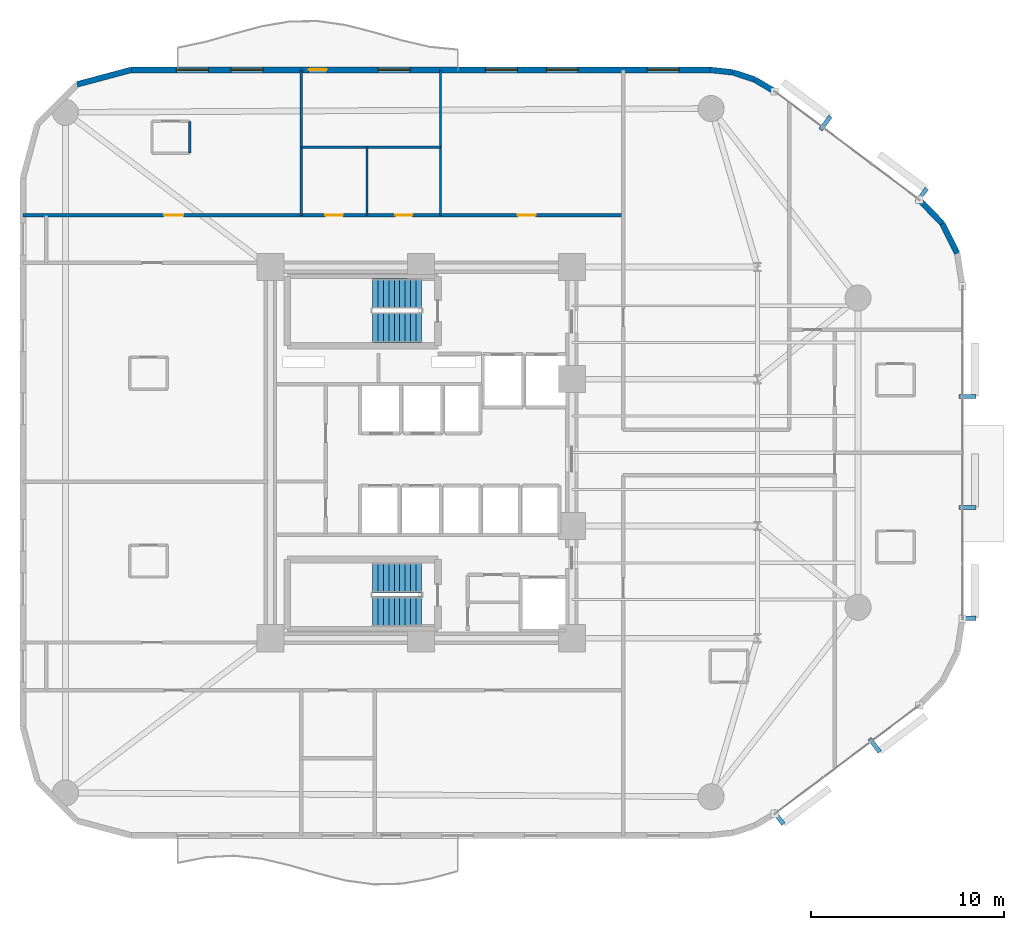
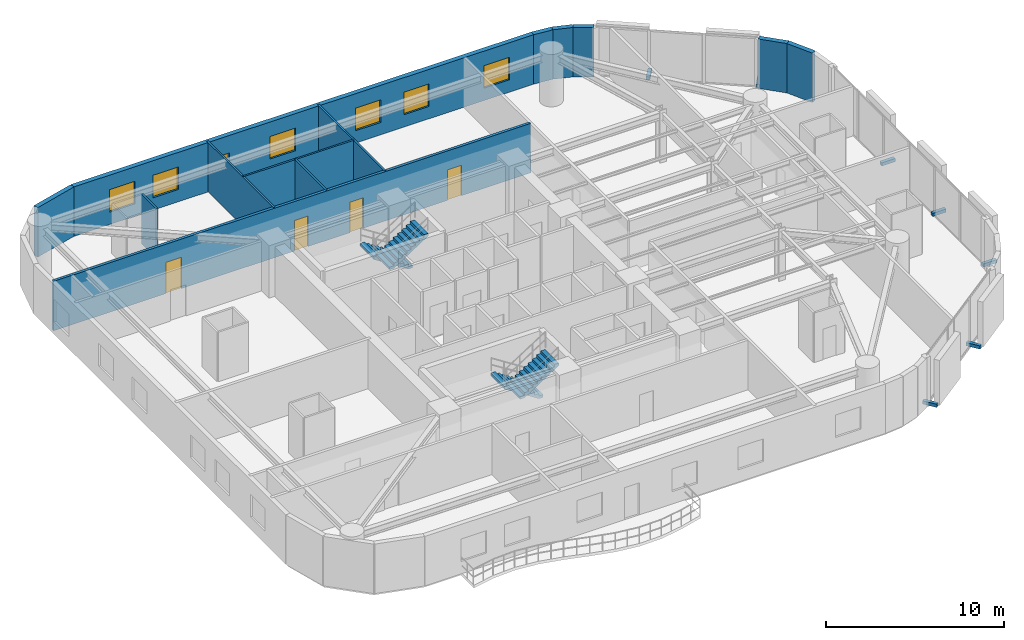
# One storey, part 13 of 16: 13 walls, 7 discrete accessories, 6 windows, 5 doors, 4 stair flights, 11 openings, 2 elements without a shape of their own.
"""IFC4 building model written with IfcOpenShell, lengths in metres."""

from ifc_helpers import new_model, si_unit, direction, frame, frame_2d, origin, origin_2d, place, context, subcontext, project, spatial, polyline, rectangle, outline, extrude, material, layer, layer_set, type_object, element, fill, aggregate, save


model = new_model("IFC4")

# Units and contexts
model_context = context("Model", 3, precision=1e-05, world=origin(), true_north=direction((0.0, 1.0)))
body_context = subcontext(model_context, "Body", "Model", "MODEL_VIEW")
ifc_project = project(units=[si_unit("LENGTHUNIT", "METRE"), si_unit("AREAUNIT", "SQUARE_METRE"), si_unit("VOLUMEUNIT", "CUBIC_METRE"), si_unit("PLANEANGLEUNIT", "RADIAN"), si_unit("MASSUNIT", "GRAM", prefix="KILO")], contexts=[model_context])

# Site, building, storey
site_placement = place(None, origin())
site = spatial("IfcSite", under=ifc_project, at=site_placement, CompositionType="ELEMENT")
building_placement = place(site_placement, origin())
building = spatial("IfcBuilding", under=site, at=building_placement, Name="An Khanh Terracotta Commons", CompositionType="ELEMENT")
storey_placement = place(building_placement, frame((0.0, 0.0, 107.89990234375)))
storey = spatial("IfcBuildingStorey", under=building, at=storey_placement, Name="L28", CompositionType="ELEMENT", Elevation=107.89990234375)

# Wall, openings, doors
ifc_material_1 = material(Name="Fire-Rated Gypsum Board on Steel Stud", Category="steel")
ifc_layer_1 = layer(ifc_material_1, 0.179931640625, Name="Fire-Rated Gypsum Board on Steel Stud")
ifc_layer_set_1 = layer_set([ifc_layer_1], Name="Fire-Rated Gypsum Board on Steel Stud")
wall_type_1 = type_object("IfcWallType", Name="WALL-CORR-180", PredefinedType="PARTITIONING", material=ifc_layer_set_1)
wall_1_placement = place(storey_placement, frame((8.800048828125, 36.280029296875, 0.0), z_axis=(0.0, 0.0, 1.0), x_axis=(1.0, 0.0, 0.0)))
wall_1 = element("IfcWall", 1, at=wall_1_placement, inside=storey, type_object=wall_type_1, Name="L28 Interior Partition IW-L28-E010", PredefinedType="PARTITIONING", context=body_context, shape_type="SweptSolid", body=[
    extrude(rectangle(XDim=31.050048828125, YDim=0.179931640625, at=frame_2d((15.52490234375, 0.0))), origin(), (0.0, 0.0, 1.0), 3.400146484375),
])
opening_1_placement = place(wall_1_placement, frame((15.64990234375, 0.0, 0.0)))
opening_1 = element("IfcOpeningElement", 2, at=opening_1_placement, cuts=wall_1, Name="Opening D-WC", PredefinedType="OPENING", context=body_context, shape_type="SweptSolid", body=[
    extrude(rectangle(XDim=0.89990234375, YDim=2.10009765625, at=frame_2d((0.449951171875, 1.050048828125))), frame((0.0, 0.099853515625, 0.0), z_axis=(0.0, -1.0, 0.0), x_axis=(1.0, 0.0, 0.0)), (0.0, 0.0, 1.0), 0.199951171875),
])
opening_2_placement = place(wall_1_placement, frame((19.27001953125, 0.0, 0.0)))
opening_2 = element("IfcOpeningElement", 3, at=opening_2_placement, cuts=wall_1, Name="Opening D-ENS", PredefinedType="OPENING", context=body_context, shape_type="SweptSolid", body=[
    extrude(rectangle(XDim=0.860107421875, YDim=2.10009765625, at=frame_2d((0.43017578125, 1.050048828125))), frame((0.0, 0.099853515625, 0.0), z_axis=(0.0, -1.0, 0.0), x_axis=(1.0, 0.0, 0.0)), (0.0, 0.0, 1.0), 0.199951171875),
])
opening_3_placement = place(wall_1_placement, frame((7.300048828125, 0.0, 0.0)))
opening_3 = element("IfcOpeningElement", 4, at=opening_3_placement, cuts=wall_1, Name="Opening D-UN", PredefinedType="OPENING", context=body_context, shape_type="SweptSolid", body=[
    extrude(rectangle(XDim=1.0, YDim=2.14990234375, at=frame_2d((0.5, 1.074951171875))), frame((0.0, 0.099853515625, 0.0), z_axis=(0.0, -1.0, 0.0), x_axis=(1.0, 0.0, 0.0)), (0.0, 0.0, 1.0), 0.199951171875),
])
opening_4_placement = place(wall_1_placement, frame((25.60498046875, 0.0, 0.0)))
opening_4 = element("IfcOpeningElement", 5, at=opening_4_placement, cuts=wall_1, Name="Opening D-RM", PredefinedType="OPENING", context=body_context, shape_type="SweptSolid", body=[
    extrude(rectangle(XDim=0.919921875, YDim=2.10009765625, at=frame_2d((0.4599609375, 1.050048828125))), frame((0.0, 0.099853515625, 0.0), z_axis=(0.0, -1.0, 0.0), x_axis=(1.0, 0.0, 0.0)), (0.0, 0.0, 1.0), 0.199951171875),
])
ifc_material_2 = material(Name="Moisture-Resistant Hardwood Timber Leaf", Category="wood")
door_type_1 = type_object("IfcDoorType", Name="DOOR-BATH-860", OperationType="NOTDEFINED", PredefinedType="DOOR", material=ifc_material_2)
door_1_placement = place(opening_2_placement, origin())
door_1 = element("IfcDoor", 6, at=door_1_placement, inside=storey, type_object=door_type_1, Name="L28 SHW Resident Shared Shower and Washroom Door", OperationType="SINGLE_SWING_RIGHT", OverallHeight=2.10009765625, OverallWidth=0.860107421875, PredefinedType="DOOR", context=body_context, shape_type="SweptSolid", body=[
    extrude(rectangle(XDim=0.860107421875, YDim=2.10009765625, at=frame_2d((0.43017578125, 1.050048828125))), frame((0.0, 0.02490234375, 0.0), z_axis=(0.0, -1.0, 0.0), x_axis=(1.0, 0.0, 0.0)), (0.0, 0.0, 1.0), 0.050048828125),
])
fill(opening_2, door_1)
ifc_material_3 = material(Name="Engineered Hardwood Timber Leaf", Category="wood")
door_type_2 = type_object("IfcDoorType", Name="DOOR-INT-920", OperationType="NOTDEFINED", PredefinedType="DOOR", material=ifc_material_3)
door_2_placement = place(opening_4_placement, origin())
door_2 = element("IfcDoor", 7, at=door_2_placement, inside=storey, type_object=door_type_2, Name="L28 NWE Quiet Focus Office Door", OperationType="SINGLE_SWING_RIGHT", OverallHeight=2.10009765625, OverallWidth=0.919921875, PredefinedType="DOOR", context=body_context, shape_type="SweptSolid", body=[
    extrude(rectangle(XDim=0.919921875, YDim=2.10009765625, at=frame_2d((0.4599609375, 1.050048828125))), frame((0.0, 0.02490234375, 0.0), z_axis=(0.0, -1.0, 0.0), x_axis=(1.0, 0.0, 0.0)), (0.0, 0.0, 1.0), 0.050048828125),
])
fill(opening_4, door_2)
ifc_material_4 = material(Name="Solid-Core Hardwood Acoustic Fire Door", Category="wood")
door_type_3 = type_object("IfcDoorType", Name="DOOR-UNIT-1000", OperationType="NOTDEFINED", PredefinedType="DOOR", material=ifc_material_4)
door_3_placement = place(opening_3_placement, origin())
door_3 = element("IfcDoor", 8, at=door_3_placement, inside=storey, type_object=door_type_3, Name="L28 NW1 Kitchenette and Studio Apartment Door", OperationType="SINGLE_SWING_LEFT", OverallHeight=2.14990234375, OverallWidth=1.0, PredefinedType="DOOR", context=body_context, shape_type="SweptSolid", body=[
    extrude(rectangle(XDim=1.0, YDim=2.14990234375, at=frame_2d((0.5, 1.074951171875))), frame((0.0, 0.02490234375, 0.0), z_axis=(0.0, -1.0, 0.0), x_axis=(1.0, 0.0, 0.0)), (0.0, 0.0, 1.0), 0.050048828125),
])
fill(opening_3, door_3)
ifc_material_5 = material(Name="Laminate Moisture-Resistant Timber Leaf", Category="wood")
door_type_4 = type_object("IfcDoorType", Name="DOOR-WC-900", OperationType="NOTDEFINED", PredefinedType="DOOR", material=ifc_material_5)
door_4_placement = place(opening_1_placement, origin())
door_4 = element("IfcDoor", 9, at=door_4_placement, inside=storey, type_object=door_type_4, Name="L28 AWC Accessible WC Door", OperationType="SINGLE_SWING_LEFT", OverallHeight=2.10009765625, OverallWidth=0.89990234375, PredefinedType="DOOR", context=body_context, shape_type="SweptSolid", body=[
    extrude(rectangle(XDim=0.89990234375, YDim=2.10009765625, at=frame_2d((0.449951171875, 1.050048828125))), frame((0.0, 0.02490234375, 0.0), z_axis=(0.0, -1.0, 0.0), x_axis=(1.0, 0.0, 0.0)), (0.0, 0.0, 1.0), 0.050048828125),
])
fill(opening_1, door_4)

# Walls
ifc_material_6 = material(Name="Precast concrete C40/50", Category="concrete")
ifc_layer_2 = layer(ifc_material_6, 0.300048828125, Name="Precast concrete C40/50")
ifc_layer_set_2 = layer_set([ifc_layer_2], Name="Precast concrete C40/50")
wall_type_2 = type_object("IfcWallType", Name="WALL-EXT-300", PredefinedType="SOLIDWALL", material=ifc_layer_set_2)
for number, where, z_axis, x_axis, name in (
    (10, (57.135009765625, 34.303955078125, 0.0), (0.0, 0.0, 1.0), (-0.4472135955, 0.894427191, 0.0), "L28 Insulated Terracotta Exterior Wall 14"),
    (11, (56.364013671875, 35.845947265625, 0.0), (0.0, 0.0, 1.0), (-0.6983450845, 0.715761233201, 0.0), "L28 Insulated Terracotta Exterior Wall 15"),
):
    element("IfcWall", number, at=place(storey_placement, frame(where, z_axis=z_axis, x_axis=x_axis)), inside=storey, type_object=wall_type_2, Name=name, PredefinedType="SOLIDWALL", context=body_context, shape_type="SweptSolid", body=[
        extrude(rectangle(XDim=1.72412109375, YDim=0.300048828125, at=frame_2d((0.862060546875, 0.0))), origin(), (0.0, 0.0, 1.0), 3.400146484375),
    ])
wall_2_placement = place(storey_placement, frame((47.693115234375, 42.679931640625, 0.0), z_axis=(0.0, 0.0, 1.0), x_axis=(-0.859320591642, 0.511437308749, 0.0)))
element("IfcWall", 12, at=wall_2_placement, inside=storey, type_object=wall_type_2, Name="L28 Insulated Terracotta Exterior Wall 17", PredefinedType="SOLIDWALL", context=body_context, shape_type="SweptSolid", body=[
    extrude(rectangle(XDim=1.19873046875, YDim=0.300048828125, at=frame_2d((0.599365234375, 0.0))), origin(), (0.0, 0.0, 1.0), 3.400146484375),
])
wall_3_placement = place(storey_placement, frame((46.6630859375, 43.29296875, 0.0), z_axis=(0.0, 0.0, 1.0), x_axis=(-0.948744332129, 0.316044604847, 0.0)))
element("IfcWall", 13, at=wall_3_placement, inside=storey, type_object=wall_type_2, Name="L28 Insulated Terracotta Exterior Wall 18", PredefinedType="SOLIDWALL", context=body_context, shape_type="SweptSolid", body=[
    extrude(rectangle(XDim=1.19970703125, YDim=0.300048828125, at=frame_2d((0.599853515625, 0.0))), origin(), (0.0, 0.0, 1.0), 3.400146484375),
])
wall_4_placement = place(storey_placement, frame((45.52490234375, 43.672119140625, 0.0), z_axis=(0.0, 0.0, 1.0), x_axis=(-0.994289103787, 0.106720092254, 0.0)))
element("IfcWall", 14, at=wall_4_placement, inside=storey, type_object=wall_type_2, Name="L28 Insulated Terracotta Exterior Wall 19", PredefinedType="SOLIDWALL", context=body_context, shape_type="SweptSolid", body=[
    extrude(rectangle(XDim=1.19873046875, YDim=0.300048828125, at=frame_2d((0.599365234375, 0.0))), origin(), (0.0, 0.0, 1.0), 3.400146484375),
])

# Wall, openings, door, windows
wall_5_placement = place(storey_placement, frame((44.3330078125, 43.800048828125, 0.0), z_axis=(0.0, 0.0, 1.0), x_axis=(-1.0, 0.0, 0.0)))
wall_5 = element("IfcWall", 15, at=wall_5_placement, inside=storey, type_object=wall_type_2, Name="L28 Insulated Terracotta Exterior Wall 20", PredefinedType="SOLIDWALL", context=body_context, shape_type="SweptSolid", body=[
    extrude(rectangle(XDim=29.93310546875, YDim=0.300048828125, at=frame_2d((14.966552734375, 0.0))), origin(), (0.0, 0.0, 1.0), 3.400146484375),
])
opening_5_placement = place(wall_5_placement, frame((19.80810546875, 0.0, 0.0)))
opening_5 = element("IfcOpeningElement", 16, at=opening_5_placement, cuts=wall_5, Name="Opening D-BAL", PredefinedType="OPENING", context=body_context, shape_type="SweptSolid", body=[
    extrude(rectangle(XDim=0.949951171875, YDim=2.199951171875, at=frame_2d((0.47509765625, 1.10009765625))), frame((0.0, 0.159912109375, 0.0), z_axis=(0.0, -1.0, 0.0), x_axis=(1.0, 0.0, 0.0)), (0.0, 0.0, 1.0), 0.320068359375),
])
opening_6_placement = place(wall_5_placement, frame((1.591064453125, 0.0, 0.85009765625)))
opening_6 = element("IfcOpeningElement", 17, at=opening_6_placement, cuts=wall_5, Name="Opening W-02", PredefinedType="OPENING", context=body_context, shape_type="SweptSolid", body=[
    extrude(rectangle(XDim=1.64990234375, YDim=1.550048828125, at=frame_2d((0.824951171875, 0.77490234375))), frame((0.0, 0.159912109375, 0.0), z_axis=(0.0, -1.0, 0.0), x_axis=(1.0, 0.0, 0.0)), (0.0, 0.0, 1.0), 0.320068359375),
])
opening_7_placement = place(wall_5_placement, frame((6.80810546875, 0.0, 0.85009765625)))
opening_7 = element("IfcOpeningElement", 18, at=opening_7_placement, cuts=wall_5, Name="Opening W-02", PredefinedType="OPENING", context=body_context, shape_type="SweptSolid", body=[
    extrude(rectangle(XDim=1.64990234375, YDim=1.550048828125, at=frame_2d((0.824951171875, 0.77490234375))), frame((0.0, 0.159912109375, 0.0), z_axis=(0.0, -1.0, 0.0), x_axis=(1.0, 0.0, 0.0)), (0.0, 0.0, 1.0), 0.320068359375),
])
opening_8_placement = place(wall_5_placement, frame((9.9580078125, 0.0, 0.85009765625)))
opening_8 = element("IfcOpeningElement", 19, at=opening_8_placement, cuts=wall_5, Name="Opening W-02", PredefinedType="OPENING", context=body_context, shape_type="SweptSolid", body=[
    extrude(rectangle(XDim=1.64990234375, YDim=1.550048828125, at=frame_2d((0.824951171875, 0.77490234375))), frame((0.0, 0.159912109375, 0.0), z_axis=(0.0, -1.0, 0.0), x_axis=(1.0, 0.0, 0.0)), (0.0, 0.0, 1.0), 0.320068359375),
])
opening_9_placement = place(wall_5_placement, frame((15.508056640625, 0.0, 0.85009765625)))
opening_9 = element("IfcOpeningElement", 20, at=opening_9_placement, cuts=wall_5, Name="Opening W-02", PredefinedType="OPENING", context=body_context, shape_type="SweptSolid", body=[
    extrude(rectangle(XDim=1.64990234375, YDim=1.550048828125, at=frame_2d((0.824951171875, 0.77490234375))), frame((0.0, 0.159912109375, 0.0), z_axis=(0.0, -1.0, 0.0), x_axis=(1.0, 0.0, 0.0)), (0.0, 0.0, 1.0), 0.320068359375),
])
opening_10_placement = place(wall_5_placement, frame((23.125, 0.0, 0.85009765625)))
opening_10 = element("IfcOpeningElement", 21, at=opening_10_placement, cuts=wall_5, Name="Opening W-02", PredefinedType="OPENING", context=body_context, shape_type="SweptSolid", body=[
    extrude(rectangle(XDim=1.64990234375, YDim=1.550048828125, at=frame_2d((0.824951171875, 0.77490234375))), frame((0.0, 0.159912109375, 0.0), z_axis=(0.0, -1.0, 0.0), x_axis=(1.0, 0.0, 0.0)), (0.0, 0.0, 1.0), 0.320068359375),
])
opening_11_placement = place(wall_5_placement, frame((25.94091796875, 0.0, 0.85009765625)))
opening_11 = element("IfcOpeningElement", 22, at=opening_11_placement, cuts=wall_5, Name="Opening W-02", PredefinedType="OPENING", context=body_context, shape_type="SweptSolid", body=[
    extrude(rectangle(XDim=1.64990234375, YDim=1.550048828125, at=frame_2d((0.824951171875, 0.77490234375))), frame((0.0, 0.159912109375, 0.0), z_axis=(0.0, -1.0, 0.0), x_axis=(1.0, 0.0, 0.0)), (0.0, 0.0, 1.0), 0.320068359375),
])
ifc_material_7 = material(Name="Thermally Broken Aluminium and Low-E Glass", Category="aluminium")
door_type_5 = type_object("IfcDoorType", Name="DOOR-BALC-950", OperationType="NOTDEFINED", PredefinedType="DOOR", material=ifc_material_7)
door_5_placement = place(opening_5_placement, origin())
door_5 = element("IfcDoor", 23, at=door_5_placement, inside=storey, type_object=door_type_5, Name="L28 N Wave Balcony Glazed Door", OperationType="SINGLE_SWING_RIGHT", OverallHeight=2.199951171875, OverallWidth=0.949951171875, PredefinedType="DOOR", context=body_context, shape_type="SweptSolid", body=[
    extrude(rectangle(XDim=0.949951171875, YDim=2.199951171875, at=frame_2d((0.47509765625, 1.10009765625))), frame((0.0, 0.02490234375, 0.0), z_axis=(0.0, -1.0, 0.0), x_axis=(1.0, 0.0, 0.0)), (0.0, 0.0, 1.0), 0.050048828125),
])
fill(opening_5, door_5)
window_type = type_object("IfcWindowType", Name="WIN-Z2-1650x1550", PartitioningType="DOUBLE_PANEL_VERTICAL", PredefinedType="WINDOW", material=ifc_material_7)
window_1_placement = place(opening_6_placement, origin())
window_1 = element("IfcWindow", 24, at=window_1_placement, inside=storey, type_object=window_type, Name="L28 Operable Casement Window 20.1", OverallHeight=1.550048828125, OverallWidth=1.64990234375, PartitioningType="DOUBLE_PANEL_VERTICAL", PredefinedType="WINDOW", context=body_context, shape_type="SweptSolid", body=[
    extrude(rectangle(XDim=1.64990234375, YDim=1.550048828125, at=frame_2d((0.824951171875, 0.77490234375))), frame((0.0, 0.030029296875, 0.0), z_axis=(0.0, -1.0, 0.0), x_axis=(1.0, 0.0, 0.0)), (0.0, 0.0, 1.0), 0.06005859375),
])
fill(opening_6, window_1)
window_2_placement = place(opening_7_placement, origin())
window_2 = element("IfcWindow", 25, at=window_2_placement, inside=storey, type_object=window_type, Name="L28 Operable Casement Window 20.2", OverallHeight=1.550048828125, OverallWidth=1.64990234375, PartitioningType="DOUBLE_PANEL_VERTICAL", PredefinedType="WINDOW", context=body_context, shape_type="SweptSolid", body=[
    extrude(rectangle(XDim=1.64990234375, YDim=1.550048828125, at=frame_2d((0.824951171875, 0.77490234375))), frame((0.0, 0.030029296875, 0.0), z_axis=(0.0, -1.0, 0.0), x_axis=(1.0, 0.0, 0.0)), (0.0, 0.0, 1.0), 0.06005859375),
])
fill(opening_7, window_2)
window_3_placement = place(opening_8_placement, origin())
window_3 = element("IfcWindow", 26, at=window_3_placement, inside=storey, type_object=window_type, Name="L28 Operable Casement Window 20.3", OverallHeight=1.550048828125, OverallWidth=1.64990234375, PartitioningType="DOUBLE_PANEL_VERTICAL", PredefinedType="WINDOW", context=body_context, shape_type="SweptSolid", body=[
    extrude(rectangle(XDim=1.64990234375, YDim=1.550048828125, at=frame_2d((0.824951171875, 0.77490234375))), frame((0.0, 0.030029296875, 0.0), z_axis=(0.0, -1.0, 0.0), x_axis=(1.0, 0.0, 0.0)), (0.0, 0.0, 1.0), 0.06005859375),
])
fill(opening_8, window_3)
window_4_placement = place(opening_9_placement, origin())
window_4 = element("IfcWindow", 27, at=window_4_placement, inside=storey, type_object=window_type, Name="L28 Operable Casement Window 20.4", OverallHeight=1.550048828125, OverallWidth=1.64990234375, PartitioningType="DOUBLE_PANEL_VERTICAL", PredefinedType="WINDOW", context=body_context, shape_type="SweptSolid", body=[
    extrude(rectangle(XDim=1.64990234375, YDim=1.550048828125, at=frame_2d((0.824951171875, 0.77490234375))), frame((0.0, 0.030029296875, 0.0), z_axis=(0.0, -1.0, 0.0), x_axis=(1.0, 0.0, 0.0)), (0.0, 0.0, 1.0), 0.06005859375),
])
fill(opening_9, window_4)
window_5_placement = place(opening_10_placement, origin())
window_5 = element("IfcWindow", 28, at=window_5_placement, inside=storey, type_object=window_type, Name="L28 Operable Casement Window 20.5", OverallHeight=1.550048828125, OverallWidth=1.64990234375, PartitioningType="DOUBLE_PANEL_VERTICAL", PredefinedType="WINDOW", context=body_context, shape_type="SweptSolid", body=[
    extrude(rectangle(XDim=1.64990234375, YDim=1.550048828125, at=frame_2d((0.824951171875, 0.77490234375))), frame((0.0, 0.030029296875, 0.0), z_axis=(0.0, -1.0, 0.0), x_axis=(1.0, 0.0, 0.0)), (0.0, 0.0, 1.0), 0.06005859375),
])
fill(opening_10, window_5)
window_6_placement = place(opening_11_placement, origin())
window_6 = element("IfcWindow", 29, at=window_6_placement, inside=storey, type_object=window_type, Name="L28 Operable Casement Window 20.6", OverallHeight=1.550048828125, OverallWidth=1.64990234375, PartitioningType="DOUBLE_PANEL_VERTICAL", PredefinedType="WINDOW", context=body_context, shape_type="SweptSolid", body=[
    extrude(rectangle(XDim=1.64990234375, YDim=1.550048828125, at=frame_2d((0.824951171875, 0.77490234375))), frame((0.0, 0.030029296875, 0.0), z_axis=(0.0, -1.0, 0.0), x_axis=(1.0, 0.0, 0.0)), (0.0, 0.0, 1.0), 0.06005859375),
])
fill(opening_11, window_6)

# Walls
wall_6_placement = place(storey_placement, frame((14.39990234375, 43.800048828125, 0.0), z_axis=(0.0, 0.0, 1.0), x_axis=(-0.965943540406, -0.258752926066, 0.0)))
element("IfcWall", 30, at=wall_6_placement, inside=storey, type_object=wall_type_2, Name="L28 Insulated Terracotta Exterior Wall 21", PredefinedType="SOLIDWALL", context=body_context, shape_type="SweptSolid", body=[
    extrude(rectangle(XDim=2.8984375, YDim=0.300048828125, at=frame_2d((1.44921875, 0.0))), origin(), (0.0, 0.0, 1.0), 3.400146484375),
])
ifc_material_8 = material(Name="Moisture-Resistant Cement Board Partition")
ifc_layer_3 = layer(ifc_material_8, 0.1201171875, Name="Moisture-Resistant Cement Board Partition")
ifc_layer_set_3 = layer_set([ifc_layer_3], Name="Moisture-Resistant Cement Board Partition")
wall_type_3 = type_object("IfcWallType", Name="WALL-WET-120", PredefinedType="PARTITIONING", material=ifc_layer_set_3)
wall_7_placement = place(storey_placement, frame((17.424072265625, 39.491943359375, 0.0), z_axis=(0.0, 0.0, 1.0), x_axis=(0.0, 1.0, 0.0)))
element("IfcWall", 31, at=wall_7_placement, inside=storey, type_object=wall_type_3, Name="L28 Interior Partition IW-L28-NW1-BE", PredefinedType="PARTITIONING", context=body_context, shape_type="SweptSolid", body=[
    extrude(rectangle(XDim=1.650146484375, YDim=0.1201171875, at=frame_2d((0.8251953125, 0.0))), origin(), (0.0, 0.0, 1.0), 3.400146484375),
])
wall_8_placement = place(storey_placement, frame((23.199951171875, 39.800048828125, 0.0), z_axis=(0.0, 0.0, 1.0), x_axis=(1.0, 0.0, 0.0)))
element("IfcWall", 32, at=wall_8_placement, inside=storey, type_object=wall_type_3, Name="L28 Interior Partition IW-L28-E011", PredefinedType="PARTITIONING", context=body_context, shape_type="SweptSolid", body=[
    extrude(rectangle(XDim=7.199951171875, YDim=0.1201171875, at=frame_2d((3.60009765625, 0.0))), origin(), (0.0, 0.0, 1.0), 3.400146484375),
])
wall_9_placement = place(storey_placement, frame((23.199951171875, 36.280029296875, 0.0), z_axis=(0.0, 0.0, 1.0), x_axis=(0.0, 1.0, 0.0)))
element("IfcWall", 33, at=wall_9_placement, inside=storey, type_object=wall_type_3, Name="L28 Interior Partition IW-L28-E015", PredefinedType="PARTITIONING", context=body_context, shape_type="SweptSolid", body=[
    extrude(rectangle(XDim=7.52001953125, YDim=0.1201171875, at=frame_2d((3.760009765625, 0.0))), origin(), (0.0, 0.0, 1.0), 3.400146484375),
])
wall_10_placement = place(storey_placement, frame((26.60009765625, 36.280029296875, 0.0), z_axis=(0.0, 0.0, 1.0), x_axis=(0.0, 1.0, 0.0)))
element("IfcWall", 34, at=wall_10_placement, inside=storey, type_object=wall_type_3, Name="L28 Interior Partition IW-L28-E016", PredefinedType="PARTITIONING", context=body_context, shape_type="SweptSolid", body=[
    extrude(rectangle(XDim=3.52001953125, YDim=0.1201171875, at=frame_2d((1.760009765625, 0.0))), origin(), (0.0, 0.0, 1.0), 3.400146484375),
])
wall_11_placement = place(storey_placement, frame((30.39990234375, 36.280029296875, 0.0), z_axis=(0.0, 0.0, 1.0), x_axis=(0.0, 1.0, 0.0)))
element("IfcWall", 35, at=wall_11_placement, inside=storey, type_object=wall_type_3, Name="L28 Interior Partition IW-L28-E018", PredefinedType="PARTITIONING", context=body_context, shape_type="SweptSolid", body=[
    extrude(rectangle(XDim=7.52001953125, YDim=0.1201171875, at=frame_2d((3.760009765625, 0.0))), origin(), (0.0, 0.0, 1.0), 3.400146484375),
])

# Stair, stair flights
stair_type = type_object("IfcStairType", Name="STAIR-CORE-1550", PredefinedType="HALF_TURN_STAIR", material=ifc_material_6)
stair_1_placement = place(storey_placement, origin())
stair_1 = element("IfcStair", 36, at=stair_1_placement, inside=storey, type_object=stair_type, Name="L28 Core Smokeproof Exit Stair ST-01", PredefinedType="HALF_TURN_STAIR")
stair_flight_type = type_object("IfcStairFlightType", Name="FLIGHT-CORE-1550", PredefinedType="STRAIGHT", material=ifc_material_6)
stair_flight_1_placement = place(storey_placement, frame((29.409912109375, 32.22509765625, 0.0), z_axis=(0.0, 0.0, 1.0), x_axis=(-1.0, 0.0, 0.0)))
stair_flight_1 = element("IfcStairFlight", 37, at=stair_flight_1_placement, type_object=stair_flight_type, Name="ST-01 flight 1", NumberOfRisers=10, NumberOfTreads=9, PredefinedType="STRAIGHT", RiserHeight=0.18, TreadLength=0.28, context=body_context, shape_type="SweptSolid", body=[
    extrude(outline(polyline([(0.0, 0.0), (0.0, 0.179931640625), (0.280029296875, 0.179931640625), (0.280029296875, 0.360107421875), (0.56005859375, 0.360107421875), (0.56005859375, 0.5400390625), (0.840087890625, 0.5400390625), (0.840087890625, 0.719970703125), (1.1201171875, 0.719970703125), (1.1201171875, 0.89990234375), (1.39990234375, 0.89990234375), (1.39990234375, 1.080078125), (1.679931640625, 1.080078125), (1.679931640625, 1.260009765625), (1.9599609375, 1.260009765625), (1.9599609375, 1.43994140625), (2.239990234375, 1.43994140625), (2.239990234375, 1.6201171875), (2.52001953125, 1.6201171875), (2.52001953125, 1.800048828125), (2.52001953125, 1.44189453125), (0.277099609375, 0.0), (0.0, 0.0)])), frame((0.0, 0.77490234375, 0.0), z_axis=(0.0, -1.0, 0.0), x_axis=(1.0, 0.0, 0.0)), (0.0, 0.0, 1.0), 1.550048828125),
])
stair_flight_2_placement = place(storey_placement, frame((26.889892578125, 30.47509765625, 1.800048828125), z_axis=(0.0, 0.0, 1.0), x_axis=(1.0, 0.0, 0.0)))
stair_flight_2 = element("IfcStairFlight", 38, at=stair_flight_2_placement, type_object=stair_flight_type, Name="ST-01 flight 2", NumberOfRisers=10, NumberOfTreads=9, PredefinedType="STRAIGHT", RiserHeight=0.18, TreadLength=0.28, context=body_context, shape_type="SweptSolid", body=[
    extrude(outline(polyline([(0.0, 0.0), (0.0, 0.179931640625), (0.280029296875, 0.179931640625), (0.280029296875, 0.360107421875), (0.56005859375, 0.360107421875), (0.56005859375, 0.5400390625), (0.840087890625, 0.5400390625), (0.840087890625, 0.719970703125), (1.1201171875, 0.719970703125), (1.1201171875, 0.89990234375), (1.39990234375, 0.89990234375), (1.39990234375, 1.080078125), (1.679931640625, 1.080078125), (1.679931640625, 1.260009765625), (1.9599609375, 1.260009765625), (1.9599609375, 1.43994140625), (2.239990234375, 1.43994140625), (2.239990234375, 1.6201171875), (2.52001953125, 1.6201171875), (2.52001953125, 1.800048828125), (2.52001953125, 1.44189453125), (0.277099609375, 0.0), (0.0, 0.0)])), frame((0.0, 0.77490234375, 0.0), z_axis=(0.0, -1.0, 0.0), x_axis=(1.0, 0.0, 0.0)), (0.0, 0.0, 1.0), 1.550048828125),
])
aggregate(stair_1, [stair_flight_1, stair_flight_2])

stair_2_placement = place(storey_placement, origin())
stair_2 = element("IfcStair", 39, at=stair_2_placement, inside=storey, type_object=stair_type, Name="L28 Core Smokeproof Exit Stair ST-02", PredefinedType="HALF_TURN_STAIR")
stair_flight_3_placement = place(storey_placement, frame((29.409912109375, 17.52490234375, 0.0), z_axis=(0.0, 0.0, 1.0), x_axis=(-1.0, 0.0, 0.0)))
stair_flight_3 = element("IfcStairFlight", 40, at=stair_flight_3_placement, type_object=stair_flight_type, Name="ST-02 flight 1", NumberOfRisers=10, NumberOfTreads=9, PredefinedType="STRAIGHT", RiserHeight=0.18, TreadLength=0.28, context=body_context, shape_type="SweptSolid", body=[
    extrude(outline(polyline([(0.0, 0.0), (0.0, 0.179931640625), (0.280029296875, 0.179931640625), (0.280029296875, 0.360107421875), (0.56005859375, 0.360107421875), (0.56005859375, 0.5400390625), (0.840087890625, 0.5400390625), (0.840087890625, 0.719970703125), (1.1201171875, 0.719970703125), (1.1201171875, 0.89990234375), (1.39990234375, 0.89990234375), (1.39990234375, 1.080078125), (1.679931640625, 1.080078125), (1.679931640625, 1.260009765625), (1.9599609375, 1.260009765625), (1.9599609375, 1.43994140625), (2.239990234375, 1.43994140625), (2.239990234375, 1.6201171875), (2.52001953125, 1.6201171875), (2.52001953125, 1.800048828125), (2.52001953125, 1.44189453125), (0.277099609375, 0.0), (0.0, 0.0)])), frame((0.0, 0.77490234375, 0.0), z_axis=(0.0, -1.0, 0.0), x_axis=(1.0, 0.0, 0.0)), (0.0, 0.0, 1.0), 1.550048828125),
])
stair_flight_4_placement = place(storey_placement, frame((26.889892578125, 15.77490234375, 1.800048828125), z_axis=(0.0, 0.0, 1.0), x_axis=(1.0, 0.0, 0.0)))
stair_flight_4 = element("IfcStairFlight", 41, at=stair_flight_4_placement, type_object=stair_flight_type, Name="ST-02 flight 2", NumberOfRisers=10, NumberOfTreads=9, PredefinedType="STRAIGHT", RiserHeight=0.18, TreadLength=0.28, context=body_context, shape_type="SweptSolid", body=[
    extrude(outline(polyline([(0.0, 0.0), (0.0, 0.179931640625), (0.280029296875, 0.179931640625), (0.280029296875, 0.360107421875), (0.56005859375, 0.360107421875), (0.56005859375, 0.5400390625), (0.840087890625, 0.5400390625), (0.840087890625, 0.719970703125), (1.1201171875, 0.719970703125), (1.1201171875, 0.89990234375), (1.39990234375, 0.89990234375), (1.39990234375, 1.080078125), (1.679931640625, 1.080078125), (1.679931640625, 1.260009765625), (1.9599609375, 1.260009765625), (1.9599609375, 1.43994140625), (2.239990234375, 1.43994140625), (2.239990234375, 1.6201171875), (2.52001953125, 1.6201171875), (2.52001953125, 1.800048828125), (2.52001953125, 1.44189453125), (0.277099609375, 0.0), (0.0, 0.0)])), frame((0.0, 0.77490234375, 0.0), z_axis=(0.0, -1.0, 0.0), x_axis=(1.0, 0.0, 0.0)), (0.0, 0.0, 1.0), 1.550048828125),
])
aggregate(stair_2, [stair_flight_3, stair_flight_4])

# Discrete accessories
ifc_material_9 = material(Name="Stainless Steel Grade 316L", Category="steel")
discrete_accessory_type = type_object("IfcDiscreteAccessoryType", Name="Stainless Outrigger Facade Bracket", PredefinedType="BRACKET", material=ifc_material_9)
for number, where, z_axis, x_axis, name in (
    (42, (47.8798828125, 5.12890625, 0.0703125), (0.0, 0.0, 1.0), (0.800012856594, 0.599982857492, 0.0), "L28 Terracotta Screen Outrigger Bracket 1"),
    (43, (52.85791015625, 8.862060546875, 0.0703125), (0.0, 0.0, 1.0), (0.800012856594, 0.599982857492, 0.0), "L28 Terracotta Screen Outrigger Bracket 3"),
    (44, (57.6650390625, 15.43505859375, 0.0703125), (0.0, 0.0, 1.0), (0.0, 1.0, 0.0), "L28 Terracotta Screen Outrigger Bracket 1"),
    (45, (57.6650390625, 21.16796875, 0.0703125), (0.0, 0.0, 1.0), (0.0, 1.0, 0.0), "L28 Terracotta Screen Outrigger Bracket 3"),
    (46, (57.6650390625, 26.902099609375, 0.0703125), (0.0, 0.0, 1.0), (0.0, 1.0, 0.0), "L28 Terracotta Screen Outrigger Bracket 5"),
    (47, (55.291015625, 37.31298828125, 0.0703125), (0.0, 0.0, 1.0), (-0.800012856594, 0.599982857492, 0.0), "L28 Terracotta Screen Outrigger Bracket 1"),
    (48, (50.31298828125, 41.0458984375, 0.0703125), (0.0, 0.0, 1.0), (-0.800012856594, 0.599982857492, 0.0), "L28 Terracotta Screen Outrigger Bracket 3"),
):
    element("IfcDiscreteAccessory", number, at=place(storey_placement, frame(where, z_axis=z_axis, x_axis=x_axis)), inside=storey, type_object=discrete_accessory_type, Name=name, PredefinedType="BRACKET", context=body_context, shape_type="SweptSolid", body=[
        extrude(rectangle(XDim=0.219970703125, YDim=0.8701171875, at=origin_2d()), origin(), (0.0, 0.0, 1.0), 0.219970703125),
    ])

save(model, "model.ifc")
